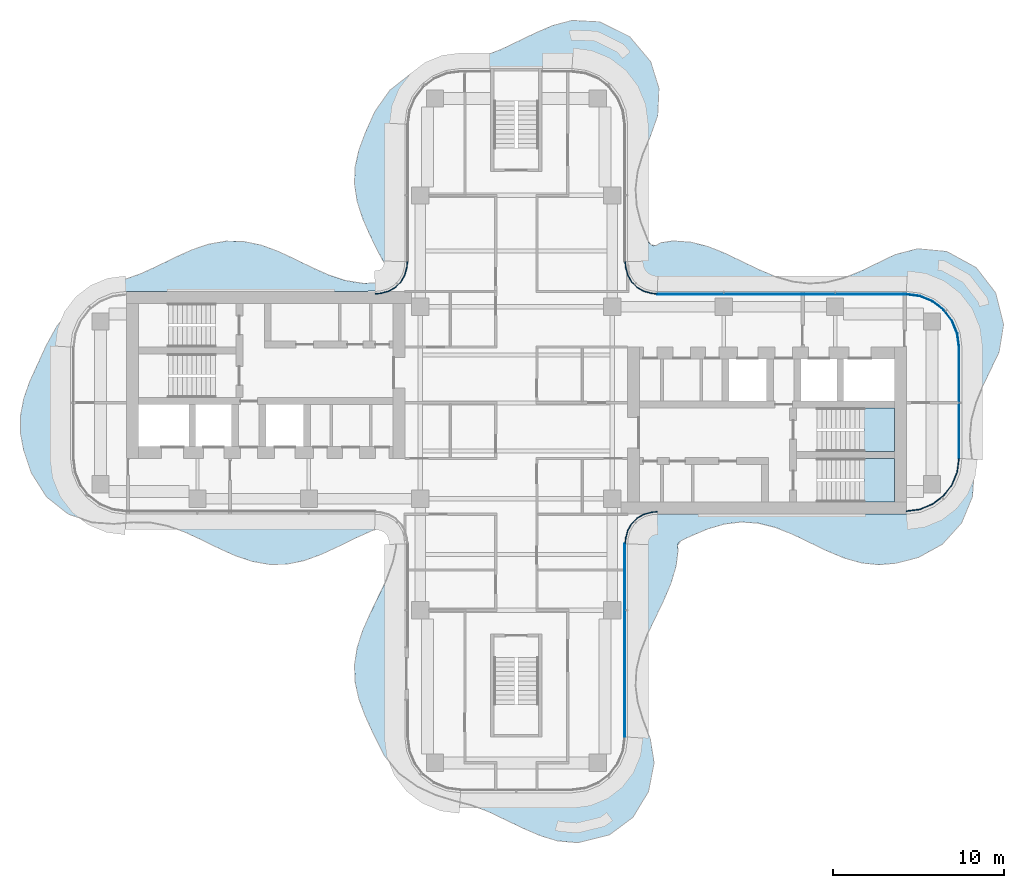
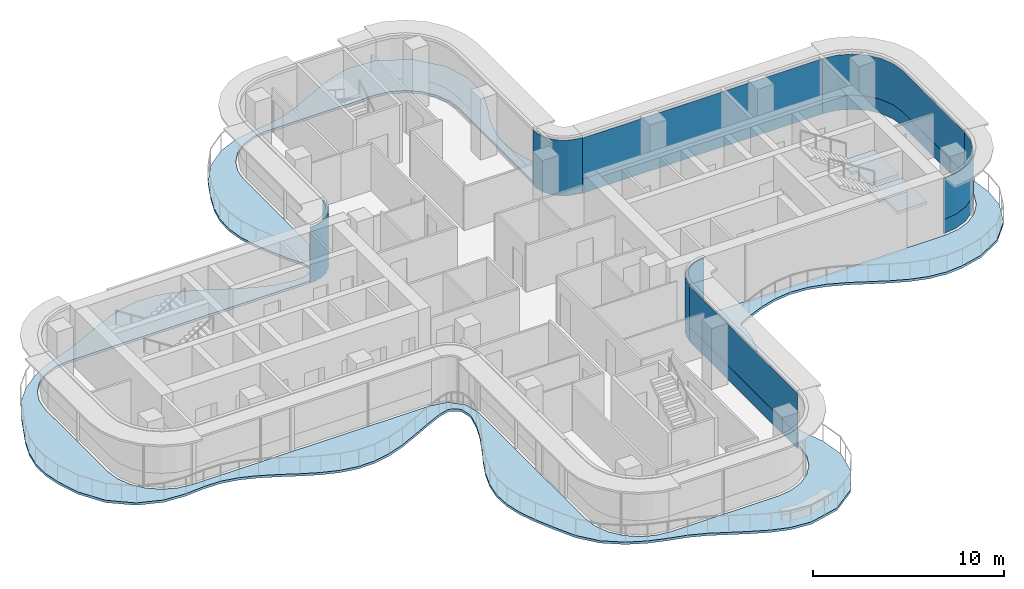
# One storey, part 9 of 16: 11 plates, 3 slabs, 9 elements without a shape of their own.
"""IFC4 building model written with IfcOpenShell, lengths in metres."""

import ifcopenshell
import ifcopenshell.guid

model = None  # the IFC model being written
_history = None  # IfcOwnerHistory: only IFC2X3 demands one
_inside = {}  # id of a spatial element -> (the spatial element, [elements in it])
_under = {}  # id of a project, library or spatial element -> (it, [spatial elements below it])
_declared = {}  # id of a project -> (the project, [libraries it declares])
_typed = {}  # id of a type object -> (the type object, [elements of that type])
_made_of = {}  # id of a material, layer set ... -> (it, [elements and type objects made of it])


def new_model(schema):
    """Start an empty IFC model of exactly this schema.

    Asked for "IFC4X3", IfcOpenShell would pick the latest addendum, in which some entities
    have other attributes; the version numbers below select the first issue.
    IFC2X3 requires an IfcOwnerHistory on every rooted entity: one is made here for all.
    """
    global model, _history
    if schema == "IFC4X3":
        model = ifcopenshell.file(schema_version=(4, 3, 0, 0))
    else:
        model = ifcopenshell.file(schema=schema)
    _inside.clear()
    _under.clear()
    _declared.clear()
    _typed.clear()
    _made_of.clear()
    _history = None
    if model.schema == "IFC2X3":
        org = make("IfcOrganization", Name="unknown")
        user = make(
            "IfcPersonAndOrganization",
            ThePerson=make("IfcPerson", FamilyName="unknown"),
            TheOrganization=org,
        )
        app = make(
            "IfcApplication",
            ApplicationDeveloper=org,
            Version="unknown",
            ApplicationFullName="unknown",
            ApplicationIdentifier="unknown",
        )
        _history = make(
            "IfcOwnerHistory",
            OwningUser=user,
            OwningApplication=app,
            ChangeAction="ADDED",
            CreationDate=0,
        )
    return model


def make(cls, **values):
    """One entity of the class cls with the attributes given. An attribute that is None is left unset."""
    return model.create_entity(
        cls, **{name: value for name, value in values.items() if value is not None}
    )


def rooted(cls, **values):
    """An entity with a GlobalId (a new one), such as an element, a storey or a relation."""
    return make(cls, GlobalId=ifcopenshell.guid.new(), OwnerHistory=_history, **values)


def si_unit(unit_type, name, prefix=None):
    """IfcSIUnit, for example si_unit("LENGTHUNIT", "METRE", prefix="MILLI")."""
    return make("IfcSIUnit", UnitType=unit_type, Prefix=prefix, Name=name)


def assignment(units):
    """IfcUnitAssignment: the units of a project."""
    return None if units is None else make("IfcUnitAssignment", Units=units)


def point(xyz):
    """IfcCartesianPoint."""
    return None if xyz is None else make("IfcCartesianPoint", Coordinates=xyz)


def direction(xyz):
    """IfcDirection."""
    return None if xyz is None else make("IfcDirection", DirectionRatios=xyz)


def frame(location, z_axis=None, x_axis=None):
    """IfcAxis2Placement3D, a coordinate frame: its origin and axes. An axis left out is left unset."""
    return make(
        "IfcAxis2Placement3D",
        Location=point(location),
        Axis=direction(z_axis),
        RefDirection=direction(x_axis),
    )


def origin():
    """The frame at (0, 0, 0) with its axes left unset."""
    return frame((0.0, 0.0, 0.0))


def place(relative_to, where):
    """IfcLocalPlacement: puts the frame where relative to a parent placement (None: the world)."""
    return make(
        "IfcLocalPlacement", PlacementRelTo=relative_to, RelativePlacement=where
    )


def context(
    kind, dimensions, precision=None, world=None, true_north=None, identifier=None
):
    """IfcGeometricRepresentationContext, for example the 3D "Model" context."""
    return make(
        "IfcGeometricRepresentationContext",
        ContextIdentifier=identifier,
        ContextType=kind,
        CoordinateSpaceDimension=dimensions,
        Precision=precision,
        WorldCoordinateSystem=world,
        TrueNorth=true_north,
    )


def subcontext(parent, identifier, kind, view, scale=None):
    """IfcGeometricRepresentationSubContext, for example "Body" below "Model"."""
    return make(
        "IfcGeometricRepresentationSubContext",
        ContextIdentifier=identifier,
        ContextType=kind,
        ParentContext=parent,
        TargetScale=scale,
        TargetView=view,
    )


def project(units=None, contexts=None):
    """IfcProject with its units and contexts."""
    return rooted(
        "IfcProject",
        Name="project",
        RepresentationContexts=contexts,
        UnitsInContext=assignment(units),
    )


def spatial(cls, under=None, at=None, **own):
    """A site, building, storey or space (cls), placed at a placement, below another one or the project."""
    s = rooted(cls, ObjectPlacement=at, **own)
    if under is not None:
        _under.setdefault(under.id(), (under, []))[1].append(s)
    return s


def polyline(points):
    """IfcPolyline through the points."""
    return make("IfcPolyline", Points=[point(p) for p in points])


def outline(outer, holes=None, kind="AREA"):
    """IfcArbitraryClosedProfileDef: a profile drawn as a closed curve; with holes, ...WithVoids."""
    if holes is None:
        return make("IfcArbitraryClosedProfileDef", ProfileType=kind, OuterCurve=outer)
    return make(
        "IfcArbitraryProfileDefWithVoids",
        ProfileType=kind,
        OuterCurve=outer,
        InnerCurves=holes,
    )


def extrude(swept, where, along, depth):
    """IfcExtrudedAreaSolid: the profile swept, set in the frame where, extruded along a direction by depth."""
    return make(
        "IfcExtrudedAreaSolid",
        SweptArea=swept,
        Position=where,
        ExtrudedDirection=direction(along),
        Depth=depth,
    )


def shape(context_of_items, identifier, shape_type, items):
    """IfcShapeRepresentation: the items that make up one representation, for example the "Body"."""
    return make(
        "IfcShapeRepresentation",
        ContextOfItems=context_of_items,
        RepresentationIdentifier=identifier,
        RepresentationType=shape_type,
        Items=items,
    )


def source(mapping_origin, context_of_items, identifier, shape_type, items):
    """IfcRepresentationMap: a shape defined once, which mapped items show again and again."""
    return make(
        "IfcRepresentationMap",
        MappingOrigin=mapping_origin,
        MappedRepresentation=shape(context_of_items, identifier, shape_type, items),
    )


def transform(
    local_origin,
    x_axis=None,
    y_axis=None,
    z_axis=None,
    scale=None,
    scale2=None,
    scale3=None,
    uniform=True,
):
    """IfcCartesianTransformationOperator3D, or its non-uniform kind. x_axis, y_axis, z_axis: its Axis1, 2, 3."""
    if uniform:
        return make(
            "IfcCartesianTransformationOperator3D",
            Axis1=direction(x_axis),
            Axis2=direction(y_axis),
            LocalOrigin=point(local_origin),
            Scale=scale,
            Axis3=direction(z_axis),
        )
    return make(
        "IfcCartesianTransformationOperator3DnonUniform",
        Axis1=direction(x_axis),
        Axis2=direction(y_axis),
        LocalOrigin=point(local_origin),
        Scale=scale,
        Axis3=direction(z_axis),
        Scale2=scale2,
        Scale3=scale3,
    )


def mapped(mapping_source, mapping_target):
    """IfcMappedItem: shows the shape of a source again, moved by a transform."""
    return make(
        "IfcMappedItem", MappingSource=mapping_source, MappingTarget=mapping_target
    )


def material(Name=None, Category=None):
    """IfcMaterial."""
    return make("IfcMaterial", Name=Name, Category=Category)


def layer(
    of_material, thickness, ventilated=None, Name=None, Category=None, Priority=None
):
    """IfcMaterialLayer: one layer of a wall or slab, of a material (None: an air gap)."""
    return make(
        "IfcMaterialLayer",
        Material=of_material,
        LayerThickness=thickness,
        IsVentilated=ventilated,
        Name=Name,
        Category=Category,
        Priority=Priority,
    )


def layer_set(layers, Name=None):
    """IfcMaterialLayerSet."""
    return make("IfcMaterialLayerSet", MaterialLayers=layers, LayerSetName=Name)


def made_of(thing, what):
    """Note that an element or type object is made of a material, layer set ...; save() writes the relation."""
    if what is not None:
        _made_of.setdefault(what.id(), (what, []))[1].append(thing)
    return thing


def type_object(cls, material=None, **own):
    """A type object (cls), such as IfcWallType, which elements share."""
    return made_of(rooted(cls, **own), material)


def element(
    cls,
    number,
    at=None,
    inside=None,
    cuts=None,
    type_object=None,
    material=None,
    context=None,
    identifier="Body",
    shape_type=None,
    held_by="IfcProductDefinitionShape",
    body=None,
    shapes=None,
    **own,
):
    """One element of the class cls, such as IfcWall. Its Tag is "e" and its number.

    at: its placement. inside: the storey or other place that contains it. cuts: it is an
    opening in that element (IfcRelVoidsElement). A single representation is given by context,
    identifier, shape_type and body (its items); several are given by shapes. held_by: the class
    of the entity that holds the representations. save() writes the other relations.
    """
    e = rooted(cls, Tag="e%d" % number, ObjectPlacement=at, **own)
    if body is not None:
        shapes = [shape(context, identifier, shape_type, body)]
    if shapes is not None:
        e.Representation = make(held_by, Representations=shapes)
    if inside is not None:
        _inside.setdefault(inside.id(), (inside, []))[1].append(e)
    if cuts is not None:
        rooted(
            "IfcRelVoidsElement", RelatingBuildingElement=cuts, RelatedOpeningElement=e
        )
    if type_object is not None:
        _typed.setdefault(type_object.id(), (type_object, []))[1].append(e)
    return made_of(e, material)


def aggregate(whole, parts):
    """IfcRelAggregates: a whole, such as a stair, and the parts it consists of."""
    return rooted("IfcRelAggregates", RelatingObject=whole, RelatedObjects=parts)


def save(model, path):
    """Write the relations noted so far, then the file.

    IfcRelAggregates (storeys below a building ...), IfcRelContainedInSpatialStructure (elements
    in a storey), IfcRelDefinesByType, IfcRelAssociatesMaterial and IfcRelDeclares: one each for
    every whole, place, type object, material and project.
    """
    for whole, parts in _under.values():
        aggregate(whole, parts)
    for where, things in _inside.values():
        rooted(
            "IfcRelContainedInSpatialStructure",
            RelatedElements=things,
            RelatingStructure=where,
        )
    for kind, things in _typed.values():
        rooted("IfcRelDefinesByType", RelatedObjects=things, RelatingType=kind)
    for what, things in _made_of.values():
        rooted("IfcRelAssociatesMaterial", RelatedObjects=things, RelatingMaterial=what)
    for by, libraries in _declared.values():
        rooted("IfcRelDeclares", RelatingContext=by, RelatedDefinitions=libraries)
    model.write(path)


model = new_model("IFC4")

# Units and contexts
model_context = context("Model", 3, precision=1e-05, world=origin(), true_north=direction((0.0, 1.0)))
body_context = subcontext(model_context, "Body", "Model", "MODEL_VIEW")
ifc_project = project(units=[si_unit("LENGTHUNIT", "METRE"), si_unit("AREAUNIT", "SQUARE_METRE"), si_unit("VOLUMEUNIT", "CUBIC_METRE"), si_unit("PLANEANGLEUNIT", "RADIAN"), si_unit("MASSUNIT", "GRAM", prefix="KILO")], contexts=[model_context])

# Site, building, storey
site_placement = place(None, origin())
site = spatial("IfcSite", under=ifc_project, at=site_placement, CompositionType="ELEMENT")
building_placement = place(site_placement, origin())
building = spatial("IfcBuilding", under=site, at=building_placement, Name="Trellis Farm Tower", CompositionType="ELEMENT")
storey_placement = place(building_placement, frame((0.0, 0.0, 306.699951171875)))
storey = spatial("IfcBuildingStorey", under=building, at=storey_placement, Name="L69", CompositionType="ELEMENT", Elevation=306.699951171875)

# Slab
ifc_material_1 = material(Name="Concrete C40/50", Category="concrete")
ifc_layer_1 = layer(ifc_material_1, 0.14990234375)
ifc_layer_set_1 = layer_set([ifc_layer_1], Name="Balcony slab 150")
slab_type_1 = type_object("IfcSlabType", Name="Balcony slab 150", PredefinedType="FLOOR", material=ifc_layer_set_1)
slab_1_placement = place(storey_placement, frame((0.0, 0.0, -0.14990234375)))
element("IfcSlab", 1, at=slab_1_placement, inside=storey, type_object=slab_type_1, Name="Balcony slab", PredefinedType="FLOOR", context=body_context, shape_type="SweptSolid", body=[
    extrude(outline(polyline([(-20.350341796875, -7.18017578125), (-21.32666015625, -6.9853515625), (-21.34033203125, -6.98388671875), (-22.341552734375, -6.97119140625), (-22.348876953125, -6.971435546875), (-23.456298828125, -7.064697265625), (-23.47900390625, -7.064697265625), (-24.754150390625, -6.97705078125), (-24.794189453125, -6.96875), (-26.1298828125, -6.494873046875), (-26.173095703125, -6.470703125), (-27.397216796875, -5.495361328125), (-27.430908203125, -5.457763671875), (-28.287353515625, -4.089111328125), (-28.30224609375, -4.05712890625), (-28.733154296875, -2.77294921875), (-28.73828125, -2.7529296875), (-28.921142578125, -1.78564453125), (-28.923828125, -1.7578125), (-28.924560546875, -0.790283203125), (-28.922119140625, -0.761962890625), (-28.731689453125, 0.23779296875), (-28.725830078125, 0.259521484375), (-28.3828125, 1.233642578125), (-28.377685546875, 1.24609375), (-27.4404296875, 3.30078125), (-27.435791015625, 3.310302734375), (-26.799560546875, 4.478515625), (-26.77978515625, 4.506591796875), (-25.914794921875, 5.4765625), (-25.893798828125, 5.49609375), (-25.01904296875, 6.161865234375), (-25.00244140625, 6.172607421875), (-24.052001953125, 6.715087890625), (-24.033203125, 6.72412109375), (-22.95361328125, 7.156005859375), (-22.9482421875, 7.157958984375), (-21.87744140625, 7.540283203125), (-21.87109375, 7.54296875), (-20.88916015625, 7.9951171875), (-20.887451171875, 7.995849609375), (-19.895751953125, 8.483642578125), (-19.890869140625, 8.486083984375), (-18.8984375, 8.929931640625), (-18.885009765625, 8.935302734375), (-17.927490234375, 9.25634765625), (-17.905517578125, 9.261962890625), (-16.938232421875, 9.429443359375), (-16.90966796875, 9.431396484375), (-15.90966796875, 9.411865234375), (-15.8818359375, 9.40869140625), (-14.9140625, 9.205810546875), (-14.893310546875, 9.199951171875), (-13.91845703125, 8.844970703125), (-13.90673828125, 8.840087890625), (-12.9228515625, 8.38427734375), (-12.919677734375, 8.3828125), (-11.922119140625, 7.892578125), (-11.91943359375, 7.89111328125), (-10.9501953125, 7.46044921875), (-10.943359375, 7.457763671875), (-9.96630859375, 7.134521484375), (-9.95458984375, 7.131591796875), (-8.908935546875, 6.965087890625), (-8.8935546875, 6.96435546875), (-8.162109375, 7.0009765625), (-8.13720703125, 7.006591796875), (-7.943115234375, 7.08740234375), (-7.92138671875, 7.10107421875), (-7.664306640625, 7.335205078125), (-7.652099609375, 7.349365234375), (-7.572509765625, 7.47021484375), (-7.560546875, 7.5048828125), (-7.548583984375, 7.649169921875), (-7.54931640625, 7.667724609375), (-7.59765625, 7.95556640625), (-7.60107421875, 7.96826171875), (-7.63818359375, 8.072021484375), (-7.643798828125, 8.083984375), (-8.037841796875, 8.77099609375), (-8.04248046875, 8.779541015625), (-8.524169921875, 9.76025390625), (-8.52685546875, 9.765869140625), (-8.95947265625, 10.747314453125), (-8.96484375, 10.76171875), (-9.279296875, 11.73388671875), (-9.28466796875, 11.75732421875), (-9.43798828125, 12.757080078125), (-9.439697265625, 12.785888671875), (-9.400390625, 13.753173828125), (-9.39697265625, 13.77978515625), (-9.185791015625, 14.72509765625), (-9.1796875, 14.7451171875), (-8.806640625, 15.74365234375), (-8.802978515625, 15.752197265625), (-8.256591796875, 16.976318359375), (-8.242431640625, 17.0009765625), (-7.400390625, 18.20556640625), (-7.370361328125, 18.2373046875), (-6.2470703125, 19.1240234375), (-6.212646484375, 19.144287109375), (-5.0751953125, 19.626708984375), (-5.047607421875, 19.635498046875), (-3.947265625, 19.86767578125), (-3.93505859375, 19.86962890625), (-2.8564453125, 20.00634765625), (-2.8486328125, 20.0078125), (-1.856689453125, 20.24072265625), (-1.846923828125, 20.24365234375), (-0.86865234375, 20.6171875), (-0.86279296875, 20.61962890625), (1.10791015625, 21.567138671875), (1.113525390625, 21.569580078125), (2.1123046875, 22.0), (2.13232421875, 22.007080078125), (3.2080078125, 22.299560546875), (3.254150390625, 22.3046875), (4.811767578125, 22.2333984375), (4.84228515625, 22.22900390625), (4.880615234375, 22.218994140625), (4.90966796875, 22.208251953125), (6.55859375, 21.39599609375), (6.584716796875, 21.379638671875), (6.61572265625, 21.355224609375), (6.637939453125, 21.334228515625), (7.80224609375, 19.963134765625), (7.8193359375, 19.9384765625), (7.838134765625, 19.904296875), (7.849853515625, 19.87646484375), (8.317626953125, 18.37109375), (8.3232421875, 18.345458984375), (8.32763671875, 18.311279296875), (8.32861328125, 18.284912109375), (8.251708984375, 16.76513671875), (8.2431640625, 16.72216796875), (7.8115234375, 15.515380859375), (7.808349609375, 15.507080078125), (7.377685546875, 14.495849609375), (7.375, 14.48779296875), (7.079345703125, 13.49169921875), (7.07666015625, 13.4794921875), (6.955810546875, 12.49169921875), (6.95556640625, 12.4775390625), (7.0234375, 11.498291015625), (7.025390625, 11.485595703125), (7.255615234375, 10.552978515625), (7.258544921875, 10.543701171875), (7.656982421875, 9.52099609375), (7.6591796875, 9.51611328125), (7.732666015625, 9.36181640625), (7.7421875, 9.346435546875), (7.83251953125, 9.237060546875), (7.861083984375, 9.2158203125), (7.9833984375, 9.1650390625), (8.018798828125, 9.159912109375), (8.1494140625, 9.17236328125), (8.18505859375, 9.185546875), (8.36279296875, 9.311767578125), (8.427490234375, 9.337890625), (9.1396484375, 9.443359375), (9.17236328125, 9.444580078125), (10.172607421875, 9.373291015625), (10.19921875, 9.368896484375), (11.16845703125, 9.120849609375), (11.1865234375, 9.114990234375), (12.15283203125, 8.731201171875), (12.16259765625, 8.72705078125), (14.145263671875, 7.771240234375), (14.14892578125, 7.76953125), (15.16748046875, 7.344482421875), (15.17578125, 7.341552734375), (16.11376953125, 7.07177734375), (16.125732421875, 7.0693359375), (17.103515625, 6.955078125), (17.117919921875, 6.954833984375), (18.103271484375, 7.02880859375), (18.1162109375, 7.03076171875), (19.110595703125, 7.285888671875), (19.11962890625, 7.288818359375), (20.140625, 7.697265625), (20.1455078125, 7.699462890625), (22.09619140625, 8.64111328125), (22.12353515625, 8.65087890625), (23.409912109375, 8.986083984375), (23.4365234375, 8.99072265625), (23.470947265625, 8.993408203125), (23.49755859375, 8.992919921875), (25.110107421875, 8.826416015625), (25.139404296875, 8.8203125), (25.1767578125, 8.80859375), (25.204345703125, 8.796630859375), (26.7724609375, 7.9287109375), (26.797607421875, 7.9111328125), (26.82763671875, 7.885498046875), (26.8486328125, 7.863037109375), (27.966796875, 6.410888671875), (27.9833984375, 6.3837890625), (28.0009765625, 6.346923828125), (28.011474609375, 6.317138671875), (28.426513671875, 4.572021484375), (28.430419921875, 4.54248046875), (28.431640625, 4.50439453125), (28.4296875, 4.473876953125), (28.17919921875, 3.00537109375), (28.16650390625, 2.9658203125), (27.22119140625, 0.98828125), (27.219482421875, 0.984375), (26.825927734375, 0.02392578125), (26.822998046875, 0.015380859375), (26.5537109375, -0.960693359375), (26.551513671875, -0.9736328125), (26.4541015625, -2.018798828125), (26.4541015625, -2.032958984375), (26.54931640625, -2.998779296875), (26.549560546875, -3.00146484375), (26.706298828125, -4.15478515625), (26.70703125, -4.186279296875), (26.607666015625, -5.484130859375), (26.596923828125, -5.52978515625), (26.008056640625, -6.963623046875), (25.981201171875, -7.006591796875), (24.902099609375, -8.21533203125), (24.86279296875, -8.246826171875), (23.4521484375, -9.025146484375), (23.416259765625, -9.039306640625), (22.150390625, -9.35791015625), (22.126708984375, -9.36181640625), (21.16015625, -9.447021484375), (21.13134765625, -9.44677734375), (20.160400390625, -9.345703125), (20.13525390625, -9.3408203125), (19.1552734375, -9.06494140625), (19.13818359375, -9.05908203125), (18.1396484375, -8.643798828125), (18.132080078125, -8.640380859375), (16.1396484375, -7.679931640625), (16.134765625, -7.677734375), (15.134765625, -7.28125), (15.12548828125, -7.2783203125), (14.13134765625, -7.027099609375), (14.118408203125, -7.02490234375), (13.13330078125, -6.955322265625), (13.118896484375, -6.955810546875), (12.141357421875, -7.07421875), (12.129150390625, -7.07666015625), (11.152587890625, -7.36328125), (11.144775390625, -7.3662109375), (10.164306640625, -7.780029296875), (10.160888671875, -7.781494140625), (9.6064453125, -8.051513671875), (9.591796875, -8.060791015625), (9.48828125, -8.145263671875), (9.467529296875, -8.172119140625), (9.415771484375, -8.28564453125), (9.4091796875, -8.31884765625), (9.413818359375, -8.453857421875), (9.41552734375, -8.468017578125), (9.435791015625, -8.557373046875), (9.4384765625, -8.609130859375), (9.3271484375, -9.503173828125), (9.322021484375, -9.527099609375), (9.031982421875, -10.50830078125), (9.026123046875, -10.5244140625), (8.6015625, -11.52294921875), (8.598876953125, -11.529296875), (7.63916015625, -13.523681640625), (7.63671875, -13.529052734375), (7.251220703125, -14.528564453125), (7.248291015625, -14.5380859375), (7.0126953125, -15.531494140625), (7.0107421875, -15.544921875), (6.95849609375, -16.529296875), (6.958984375, -16.543212890625), (7.081787109375, -17.464599609375), (7.084228515625, -17.476318359375), (7.385498046875, -18.47900390625), (7.38720703125, -18.484619140625), (7.813720703125, -19.5791015625), (7.822021484375, -19.610107421875), (8.0419921875, -20.998291015625), (8.0439453125, -21.025146484375), (8.043212890625, -21.06005859375), (8.040283203125, -21.0869140625), (7.7158203125, -22.673583984375), (7.697265625, -22.72119140625), (6.847412109375, -24.13134765625), (6.829833984375, -24.155029296875), (6.80517578125, -24.18212890625), (6.78369140625, -24.201416015625), (5.44482421875, -25.197509765625), (5.41943359375, -25.212646484375), (5.385009765625, -25.22900390625), (5.3564453125, -25.239013671875), (3.630615234375, -25.658203125), (3.581787109375, -25.661865234375), (2.406494140625, -25.556396484375), (2.375732421875, -25.55029296875), (1.392822265625, -25.247802734375), (1.377197265625, -25.241943359375), (0.37890625, -24.808837890625), (0.37353515625, -24.806396484375), (-1.622314453125, -23.849365234375), (-1.62841796875, -23.8466796875), (-2.622802734375, -23.472900390625), (-2.63037109375, -23.470703125), (-3.66748046875, -23.19873046875), (-3.673828125, -23.197021484375), (-4.710205078125, -22.876220703125), (-4.728515625, -22.869140625), (-5.75439453125, -22.396240234375), (-5.778564453125, -22.38232421875), (-6.8232421875, -21.638427734375), (-6.852294921875, -21.611572265625), (-7.707763671875, -20.569580078125), (-7.726318359375, -20.541015625), (-8.348876953125, -19.281005859375), (-8.350830078125, -19.277099609375), (-8.81201171875, -18.269287109375), (-8.816162109375, -18.259521484375), (-9.1796875, -17.28369140625), (-9.185791015625, -17.263916015625), (-9.39990234375, -16.29541015625), (-9.403564453125, -16.268310546875), (-9.4384765625, -15.301025390625), (-9.436767578125, -15.272705078125), (-9.28564453125, -14.299560546875), (-9.280029296875, -14.2763671875), (-8.96240234375, -13.293701171875), (-8.956787109375, -13.279296875), (-8.51904296875, -12.28759765625), (-8.516357421875, -12.2822265625), (-8.02880859375, -11.289794921875), (-8.028076171875, -11.2880859375), (-7.5712890625, -10.3056640625), (-7.56884765625, -10.2998046875), (-7.1953125, -9.274169921875), (-7.1923828125, -9.264404296875), (-7.004638671875, -8.3896484375), (-7.0029296875, -8.374267578125), (-7.002197265625, -8.246826171875), (-7.003662109375, -8.231689453125), (-7.1044921875, -7.732177734375), (-7.109375, -7.717041015625), (-7.159423828125, -7.602783203125), (-7.177978515625, -7.577392578125), (-7.27099609375, -7.494384765625), (-7.283935546875, -7.485107421875), (-7.56884765625, -7.323974609375), (-7.58251953125, -7.31787109375), (-7.693603515625, -7.281982421875), (-7.722900390625, -7.278564453125), (-7.839111328125, -7.28857421875), (-7.85400390625, -7.29150390625), (-8.3994140625, -7.452392578125), (-8.408935546875, -7.455810546875), (-9.405029296875, -7.902587890625), (-9.407470703125, -7.90380859375), (-10.407958984375, -8.3955078125), (-10.411376953125, -8.397216796875), (-11.405029296875, -8.855224609375), (-11.417236328125, -8.8603515625), (-12.402099609375, -9.21337890625), (-12.423095703125, -9.21923828125), (-13.398681640625, -9.414794921875), (-13.426513671875, -9.417724609375), (-14.39453125, -9.4296875), (-14.422607421875, -9.427490234375), (-15.389892578125, -9.256103515625), (-15.412109375, -9.25048828125), (-16.385498046875, -8.919921875), (-16.39892578125, -8.91455078125), (-17.381103515625, -8.472412109375), (-17.3857421875, -8.47021484375), (-18.371826171875, -7.98486328125), (-18.37353515625, -7.98388671875), (-19.35595703125, -7.533447265625), (-19.362060546875, -7.531005859375), (-20.33984375, -7.18310546875), (-20.350341796875, -7.18017578125)]), holes=[polyline([(-6.56640625, 7.80419921875), (-6.5791015625, 7.76171875), (-6.593017578125, 7.72998046875), (-7.0166015625, 7.00244140625), (-7.045166015625, 6.967041015625), (-7.0869140625, 6.928955078125), (-7.124755859375, 6.90380859375), (-7.896484375, 6.545654296875), (-7.92578125, 6.53564453125), (-7.96435546875, 6.526611328125), (-7.994873046875, 6.522705078125), (-8.91552734375, 6.50048828125), (-22.75, 6.50048828125), (-23.59130859375, 6.389892578125), (-24.375244140625, 6.065185546875), (-25.048583984375, 5.548583984375), (-25.565185546875, 4.875244140625), (-25.889892578125, 4.09130859375), (-26.00048828125, 3.25), (-26.00048828125, -3.25), (-25.889892578125, -4.09130859375), (-25.565185546875, -4.875244140625), (-25.048583984375, -5.548583984375), (-24.375244140625, -6.065185546875), (-23.59130859375, -6.389892578125), (-22.75, -6.50048828125), (-8.43701171875, -6.50048828125), (-8.41796875, -6.502197265625), (-7.5166015625, -6.66064453125), (-7.47509765625, -6.67431640625), (-7.42724609375, -6.698486328125), (-7.391845703125, -6.72314453125), (-6.78564453125, -7.29248046875), (-6.7587890625, -7.326416015625), (-6.731689453125, -7.37255859375), (-6.71533203125, -7.413330078125), (-6.504150390625, -8.30078125), (-6.50048828125, -8.33056640625), (-6.50048828125, -19.5), (-6.389892578125, -20.34130859375), (-6.065185546875, -21.125244140625), (-5.548583984375, -21.798583984375), (-4.875244140625, -22.315185546875), (-4.09130859375, -22.639892578125), (-3.25, -22.75048828125), (3.25, -22.75048828125), (4.09130859375, -22.639892578125), (4.875244140625, -22.315185546875), (5.548583984375, -21.798583984375), (6.065185546875, -21.125244140625), (6.389892578125, -20.34130859375), (6.50048828125, -19.5), (6.50048828125, -14.7783203125), (6.50146484375, -8.531982421875), (6.502685546875, -8.51318359375), (6.6162109375, -7.62060546875), (6.627197265625, -7.580810546875), (6.6474609375, -7.532958984375), (6.6689453125, -7.49755859375), (7.19287109375, -6.849853515625), (7.2255859375, -6.81982421875), (7.270751953125, -6.789306640625), (7.31201171875, -6.769775390625), (8.18359375, -6.509521484375), (8.2265625, -6.50341796875), (19.6259765625, -6.50048828125), (22.75, -6.50048828125), (23.59130859375, -6.389892578125), (24.375244140625, -6.065185546875), (25.048583984375, -5.548583984375), (25.565185546875, -4.875244140625), (25.889892578125, -4.09130859375), (26.00048828125, -3.25), (26.00048828125, 3.25), (25.889892578125, 4.09130859375), (25.565185546875, 4.875244140625), (25.048583984375, 5.548583984375), (24.375244140625, 6.065185546875), (23.59130859375, 6.389892578125), (22.75, 6.50048828125), (19.626220703125, 6.50048828125), (8.2265625, 6.50341796875), (8.18359375, 6.509521484375), (7.31201171875, 6.769775390625), (7.270751953125, 6.789306640625), (7.2255859375, 6.81982421875), (7.19287109375, 6.849853515625), (6.6689453125, 7.49755859375), (6.6474609375, 7.532958984375), (6.627197265625, 7.580810546875), (6.6162109375, 7.62060546875), (6.502685546875, 8.51318359375), (6.50146484375, 8.531982421875), (6.50048828125, 12.0361328125), (6.50048828125, 16.25), (6.389892578125, 17.09130859375), (6.065185546875, 17.875244140625), (5.548583984375, 18.548583984375), (4.875244140625, 19.065185546875), (4.09130859375, 19.389892578125), (3.25, 19.50048828125), (-3.25, 19.50048828125), (-4.09130859375, 19.389892578125), (-4.875244140625, 19.065185546875), (-5.548583984375, 18.548583984375), (-6.065185546875, 17.875244140625), (-6.389892578125, 17.09130859375), (-6.50048828125, 16.25), (-6.50048828125, 8.761962890625), (-6.500732421875, 8.759765625), (-6.56005859375, 7.838134765625), (-6.56640625, 7.80419921875)])]), origin(), (0.0, 0.0, 1.0), 0.14990234375),
])

# Stair, slab
ifc_material_2 = material(Name="Concrete C50/60", Category="concrete")
stair_type = type_object("IfcStairType", Name="CORE EXIT STAIR 22 RISERS 177 MM", PredefinedType="HALF_TURN_STAIR", material=ifc_material_2)
placement_1 = place(storey_placement, origin())
stair_1 = element("IfcStair", 2, at=placement_1, inside=storey, type_object=stair_type, Name="Exit stair E1", PredefinedType="HALF_TURN_STAIR")
ifc_layer_2 = layer(ifc_material_2, 0.18994140625)
ifc_layer_set_2 = layer_set([ifc_layer_2], Name="CORE STAIR LANDING 190 CONCRETE C50/60")
slab_type_2 = type_object("IfcSlabType", Name="CORE STAIR LANDING 190 CONCRETE C50/60", PredefinedType="LANDING", material=ifc_layer_set_2)
shared_shape_1 = source(origin(), body_context, "Body", "SweptSolid", [
    extrude(outline(polyline([(20.2900390625, -5.800048828125), (20.2900390625, -4.60009765625), (20.300048828125, -4.60009765625), (20.300048828125, -4.449951171875), (19.971923828125, -4.449951171875), (19.971923828125, -3.25), (20.300048828125, -3.25), (22.050048828125, -3.25), (22.050048828125, -5.800048828125), (20.300048828125, -5.800048828125), (20.2900390625, -5.800048828125)])), origin(), (0.0, 0.0, 1.0), 0.18994140625),
])
placement_2 = place(storey_placement, frame((0.0, 0.0, 1.760009765625)))
slab_2 = element("IfcSlab", 3, at=placement_2, type_object=slab_type_2, Name="STE1 landing 1", PredefinedType="LANDING", context=body_context, shape_type="MappedRepresentation", body=[
    mapped(shared_shape_1, transform((0.0, 0.0, 0.0))),
])
aggregate(stair_1, [slab_2])

stair_2 = element("IfcStair", 4, at=placement_1, inside=storey, type_object=stair_type, Name="Exit stair E2", PredefinedType="HALF_TURN_STAIR")
shared_shape_2 = source(origin(), body_context, "Body", "SweptSolid", [
    extrude(outline(polyline([(20.2900390625, -2.85009765625), (20.2900390625, -1.64990234375), (20.300048828125, -1.64990234375), (20.300048828125, -1.5), (19.971923828125, -1.5), (19.971923828125, -0.300048828125), (20.300048828125, -0.300048828125), (22.050048828125, -0.300048828125), (22.050048828125, -2.85009765625), (20.300048828125, -2.85009765625), (20.2900390625, -2.85009765625)])), origin(), (0.0, 0.0, 1.0), 0.18994140625),
])
slab_3 = element("IfcSlab", 5, at=placement_2, type_object=slab_type_2, Name="STE2 landing 1", PredefinedType="LANDING", context=body_context, shape_type="MappedRepresentation", body=[
    mapped(shared_shape_2, transform((0.0, 0.0, 0.0))),
])
aggregate(stair_2, [slab_3])

# Curtain wall, plate
ifc_material_3 = material(Name="Aluminium and glass curtain wall", Category="aluminium")
ifc_layer_3 = layer(ifc_material_3, 0.166015625)
ifc_layer_set_3 = layer_set([ifc_layer_3], Name="WINTER GARDEN CURTAIN WALL CW3")
curtain_wall_type_1 = type_object("IfcCurtainWallType", Name="WINTER GARDEN CURTAIN WALL CW3", PredefinedType="NOTDEFINED", material=ifc_layer_set_3)
curtain_wall_1 = element("IfcCurtainWall", 6, at=placement_1, inside=storey, type_object=curtain_wall_type_1, Name="CW3 002", PredefinedType="NOTDEFINED")
ifc_material_4 = material(Name="Clear insulated glass", Category="glass")
ifc_layer_4 = layer(ifc_material_4, 0.0458984375)
ifc_layer_set_4 = layer_set([ifc_layer_4], Name="CW3 GLASS PANEL 46")
plate_type_1 = type_object("IfcPlateType", Name="CW3 GLASS PANEL 46", PredefinedType="CURTAIN_PANEL", material=ifc_layer_set_4)
shared_shape_3 = source(origin(), body_context, "Body", "SweptSolid", [
    extrude(outline(polyline([(6.3798828125, -8.2275390625), (6.394287109375, -8.0078125), (6.40966796875, -7.89208984375), (6.52490234375, -7.462158203125), (6.7509765625, -7.070556640625), (7.070556640625, -6.7509765625), (7.462158203125, -6.52490234375), (7.89208984375, -6.40966796875), (8.0078125, -6.394287109375), (8.2275390625, -6.3798828125), (8.22607421875, -6.333984375), (8.003173828125, -6.3486328125), (7.883056640625, -6.364501953125), (7.4443359375, -6.48193359375), (7.04248046875, -6.714111328125), (6.714111328125, -7.04248046875), (6.48193359375, -7.4443359375), (6.364501953125, -7.883056640625), (6.3486328125, -8.003173828125), (6.333984375, -8.22607421875), (6.3798828125, -8.2275390625)])), origin(), (0.0, 0.0, 1.0), 3.550048828125),
])
plate_1 = element("IfcPlate", 7, at=placement_1, type_object=plate_type_1, Name="PL3 002", PredefinedType="CURTAIN_PANEL", context=body_context, shape_type="MappedRepresentation", body=[
    mapped(shared_shape_3, transform((0.0, 0.0, 0.0))),
])
aggregate(curtain_wall_1, [plate_1])

curtain_wall_2 = element("IfcCurtainWall", 8, at=placement_1, inside=storey, type_object=curtain_wall_type_1, Name="CW3 003", PredefinedType="NOTDEFINED")
shared_shape_4 = source(origin(), body_context, "Body", "SweptSolid", [
    extrude(outline(polyline([(8.2275390625, 6.3798828125), (8.0078125, 6.394287109375), (7.89208984375, 6.40966796875), (7.462158203125, 6.52490234375), (7.070556640625, 6.7509765625), (6.7509765625, 7.070556640625), (6.52490234375, 7.462158203125), (6.40966796875, 7.89208984375), (6.394287109375, 8.0078125), (6.3798828125, 8.2275390625), (6.333984375, 8.22607421875), (6.3486328125, 8.003173828125), (6.364501953125, 7.883056640625), (6.48193359375, 7.4443359375), (6.714111328125, 7.04248046875), (7.04248046875, 6.714111328125), (7.4443359375, 6.48193359375), (7.883056640625, 6.364501953125), (8.003173828125, 6.3486328125), (8.22607421875, 6.333984375), (8.2275390625, 6.3798828125)])), origin(), (0.0, 0.0, 1.0), 3.550048828125),
])
plate_2 = element("IfcPlate", 9, at=placement_1, type_object=plate_type_1, Name="PL3 003", PredefinedType="CURTAIN_PANEL", context=body_context, shape_type="MappedRepresentation", body=[
    mapped(shared_shape_4, transform((0.0, 0.0, 0.0))),
])
aggregate(curtain_wall_2, [plate_2])

curtain_wall_3 = element("IfcCurtainWall", 10, at=placement_1, inside=storey, type_object=curtain_wall_type_1, Name="CW3 004", PredefinedType="NOTDEFINED")
shared_shape_5 = source(origin(), body_context, "Body", "SweptSolid", [
    extrude(outline(polyline([(-6.3798828125, 8.2275390625), (-6.394287109375, 8.0078125), (-6.40966796875, 7.89208984375), (-6.52490234375, 7.462158203125), (-6.7509765625, 7.070556640625), (-7.070556640625, 6.7509765625), (-7.462158203125, 6.52490234375), (-7.89208984375, 6.40966796875), (-8.0078125, 6.394287109375), (-8.2275390625, 6.3798828125), (-8.22607421875, 6.333984375), (-8.003173828125, 6.3486328125), (-7.883056640625, 6.364501953125), (-7.4443359375, 6.48193359375), (-7.04248046875, 6.714111328125), (-6.714111328125, 7.04248046875), (-6.48193359375, 7.4443359375), (-6.364501953125, 7.883056640625), (-6.3486328125, 8.003173828125), (-6.333984375, 8.22607421875), (-6.3798828125, 8.2275390625)])), origin(), (0.0, 0.0, 1.0), 3.550048828125),
])
plate_3 = element("IfcPlate", 11, at=placement_1, type_object=plate_type_1, Name="PL3 004", PredefinedType="CURTAIN_PANEL", context=body_context, shape_type="MappedRepresentation", body=[
    mapped(shared_shape_5, transform((0.0, 0.0, 0.0))),
])
aggregate(curtain_wall_3, [plate_3])

# Curtain wall, plates
ifc_layer_5 = layer(ifc_material_3, 0.18994140625)
ifc_layer_set_5 = layer_set([ifc_layer_5], Name="RIBBON CURTAIN WALL CW1")
curtain_wall_type_2 = type_object("IfcCurtainWallType", Name="RIBBON CURTAIN WALL CW1", PredefinedType="NOTDEFINED", material=ifc_layer_set_5)
curtain_wall_4 = element("IfcCurtainWall", 12, at=placement_1, inside=storey, type_object=curtain_wall_type_2, Name="CW1 006", PredefinedType="NOTDEFINED")
ifc_layer_6 = layer(ifc_material_4, 0.0400390625)
ifc_layer_set_6 = layer_set([ifc_layer_6], Name="CW1 GLASS PANEL 40")
plate_type_2 = type_object("IfcPlateType", Name="CW1 GLASS PANEL 40", PredefinedType="CURTAIN_PANEL", material=ifc_layer_set_6)
shared_shape_6 = source(origin(), body_context, "Body", "SweptSolid", [
    extrude(outline(polyline([(22.740234375, -6.35009765625), (23.552001953125, -6.2431640625), (24.29931640625, -5.93359375), (24.941162109375, -5.441162109375), (25.43359375, -4.79931640625), (25.7431640625, -4.052001953125), (25.85009765625, -3.240234375), (25.81005859375, -3.237548828125), (25.7041015625, -4.04150390625), (25.398681640625, -4.779296875), (24.91259765625, -5.41259765625), (24.279296875, -5.898681640625), (23.54150390625, -6.2041015625), (22.737548828125, -6.31005859375), (22.740234375, -6.35009765625)])), origin(), (0.0, 0.0, 1.0), 2.619873046875),
])
placement_3 = place(storey_placement, frame((0.0, 0.0, 0.900146484375)))
plate_4 = element("IfcPlate", 13, at=placement_3, type_object=plate_type_2, Name="PL1 006", PredefinedType="CURTAIN_PANEL", context=body_context, shape_type="MappedRepresentation", body=[
    mapped(shared_shape_6, transform((0.0, 0.0, 0.0))),
])
ifc_material_5 = material(Name="Sandstone faced insulated panel", Category="masonry")
ifc_layer_7 = layer(ifc_material_5, 0.050048828125)
ifc_layer_set_7 = layer_set([ifc_layer_7], Name="CW1 STONE SPANDREL PANEL 50")
plate_type_3 = type_object("IfcPlateType", Name="CW1 STONE SPANDREL PANEL 50", PredefinedType="CURTAIN_PANEL", material=ifc_layer_set_7)
shared_shape_7 = source(origin(), body_context, "Body", "SweptSolid", [
    extrude(outline(polyline([(22.740234375, -6.35009765625), (23.552001953125, -6.2431640625), (24.29931640625, -5.93359375), (24.941162109375, -5.441162109375), (25.43359375, -4.79931640625), (25.7431640625, -4.052001953125), (25.85009765625, -3.240234375), (25.800048828125, -3.23681640625), (25.6943359375, -4.0390625), (25.389892578125, -4.774169921875), (24.905517578125, -5.405517578125), (24.274169921875, -5.889892578125), (23.5390625, -6.1943359375), (22.73681640625, -6.300048828125), (22.740234375, -6.35009765625)])), origin(), (0.0, 0.0, 1.0), 0.900146484375),
])
plate_5 = element("IfcPlate", 14, at=placement_1, type_object=plate_type_3, Name="PS1 006", PredefinedType="CURTAIN_PANEL", context=body_context, shape_type="MappedRepresentation", body=[
    mapped(shared_shape_7, transform((0.0, 0.0, 0.0))),
])
aggregate(curtain_wall_4, [plate_4, plate_5])

curtain_wall_5 = element("IfcCurtainWall", 15, at=placement_1, inside=storey, type_object=curtain_wall_type_2, Name="CW1 008", PredefinedType="NOTDEFINED")
shared_shape_8 = source(origin(), body_context, "Body", "SweptSolid", [
    extrude(outline(polyline([(22.740234375, 6.35009765625), (8.2265625, 6.35009765625), (8.22509765625, 6.31005859375), (22.737548828125, 6.31005859375), (22.740234375, 6.35009765625)])), origin(), (0.0, 0.0, 1.0), 2.619873046875),
])
plate_6 = element("IfcPlate", 16, at=placement_3, type_object=plate_type_2, Name="PL1 008", PredefinedType="CURTAIN_PANEL", context=body_context, shape_type="MappedRepresentation", body=[
    mapped(shared_shape_8, transform((0.0, 0.0, 0.0))),
])
shared_shape_9 = source(origin(), body_context, "Body", "SweptSolid", [
    extrude(outline(polyline([(22.740234375, 6.35009765625), (8.2265625, 6.35009765625), (8.224853515625, 6.300048828125), (22.73681640625, 6.300048828125), (22.740234375, 6.35009765625)])), origin(), (0.0, 0.0, 1.0), 0.900146484375),
])
plate_7 = element("IfcPlate", 17, at=placement_1, type_object=plate_type_3, Name="PS1 008", PredefinedType="CURTAIN_PANEL", context=body_context, shape_type="MappedRepresentation", body=[
    mapped(shared_shape_9, transform((0.0, 0.0, 0.0))),
])
aggregate(curtain_wall_5, [plate_6, plate_7])

curtain_wall_6 = element("IfcCurtainWall", 18, at=placement_1, inside=storey, type_object=curtain_wall_type_2, Name="CW1 007", PredefinedType="NOTDEFINED")
shared_shape_10 = source(origin(), body_context, "Body", "SweptSolid", [
    extrude(outline(polyline([(25.85009765625, -3.240234375), (25.85009765625, 3.240234375), (25.7431640625, 4.052001953125), (25.43359375, 4.79931640625), (24.941162109375, 5.441162109375), (24.29931640625, 5.93359375), (23.552001953125, 6.2431640625), (22.740234375, 6.35009765625), (22.737548828125, 6.31005859375), (23.54150390625, 6.2041015625), (24.279296875, 5.898681640625), (24.91259765625, 5.41259765625), (25.398681640625, 4.779296875), (25.7041015625, 4.04150390625), (25.81005859375, 3.237548828125), (25.81005859375, -3.237548828125), (25.85009765625, -3.240234375)])), origin(), (0.0, 0.0, 1.0), 2.619873046875),
])
plate_8 = element("IfcPlate", 19, at=placement_3, type_object=plate_type_2, Name="PL1 007", PredefinedType="CURTAIN_PANEL", context=body_context, shape_type="MappedRepresentation", body=[
    mapped(shared_shape_10, transform((0.0, 0.0, 0.0))),
])
shared_shape_11 = source(origin(), body_context, "Body", "SweptSolid", [
    extrude(outline(polyline([(25.85009765625, -3.240234375), (25.85009765625, 3.240234375), (25.7431640625, 4.052001953125), (25.43359375, 4.79931640625), (24.941162109375, 5.441162109375), (24.29931640625, 5.93359375), (23.552001953125, 6.2431640625), (22.740234375, 6.35009765625), (22.73681640625, 6.300048828125), (23.5390625, 6.1943359375), (24.274169921875, 5.889892578125), (24.905517578125, 5.405517578125), (25.389892578125, 4.774169921875), (25.6943359375, 4.0390625), (25.800048828125, 3.23681640625), (25.800048828125, -3.23681640625), (25.85009765625, -3.240234375)])), origin(), (0.0, 0.0, 1.0), 0.900146484375),
])
plate_9 = element("IfcPlate", 20, at=placement_1, type_object=plate_type_3, Name="PS1 007", PredefinedType="CURTAIN_PANEL", context=body_context, shape_type="MappedRepresentation", body=[
    mapped(shared_shape_11, transform((0.0, 0.0, 0.0))),
])
aggregate(curtain_wall_6, [plate_8, plate_9])

curtain_wall_7 = element("IfcCurtainWall", 21, at=placement_1, inside=storey, type_object=curtain_wall_type_2, Name="CW1 005", PredefinedType="NOTDEFINED")
shared_shape_12 = source(origin(), body_context, "Body", "SweptSolid", [
    extrude(outline(polyline([(6.35009765625, -19.490234375), (6.35009765625, -8.2265625), (6.31005859375, -8.22509765625), (6.31005859375, -19.487548828125), (6.35009765625, -19.490234375)])), origin(), (0.0, 0.0, 1.0), 2.619873046875),
])
plate_10 = element("IfcPlate", 22, at=placement_3, type_object=plate_type_2, Name="PL1 005", PredefinedType="CURTAIN_PANEL", context=body_context, shape_type="MappedRepresentation", body=[
    mapped(shared_shape_12, transform((0.0, 0.0, 0.0))),
])
shared_shape_13 = source(origin(), body_context, "Body", "SweptSolid", [
    extrude(outline(polyline([(6.35009765625, -19.490234375), (6.35009765625, -8.2265625), (6.300048828125, -8.224853515625), (6.300048828125, -19.48681640625), (6.35009765625, -19.490234375)])), origin(), (0.0, 0.0, 1.0), 0.900146484375),
])
plate_11 = element("IfcPlate", 23, at=placement_1, type_object=plate_type_3, Name="PS1 005", PredefinedType="CURTAIN_PANEL", context=body_context, shape_type="MappedRepresentation", body=[
    mapped(shared_shape_13, transform((0.0, 0.0, 0.0))),
])
aggregate(curtain_wall_7, [plate_10, plate_11])

save(model, "model.ifc")
